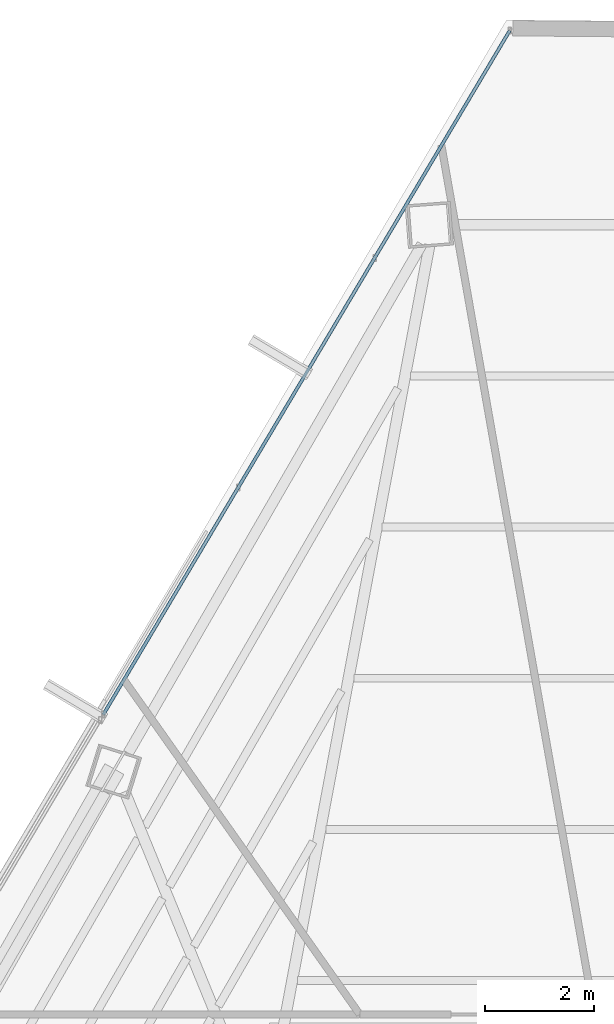
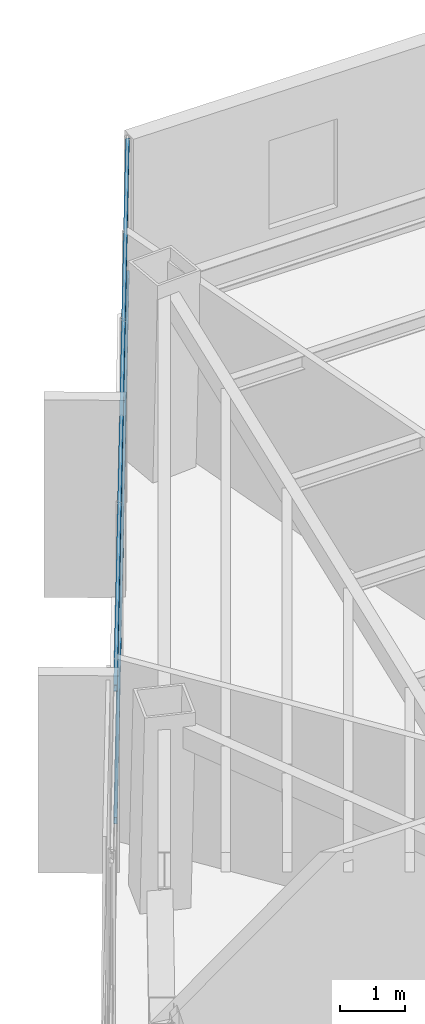
# One storey, part 33 of 47: 2 members, 1 element without a shape of its own.
"""IFC4 building model written with IfcOpenShell, lengths in metres."""

from ifc_helpers import new_model, si_unit, direction, frame, origin, origin_2d, place, context, subcontext, project, spatial, hollow_rectangle, extrude, source, transform, mapped, material, material_profile, profile_set, type_object, type_shapes, element, aggregate, save


model = new_model("IFC4")

# Units and contexts
model_context = context("Model", 3, precision=1e-05, world=origin(), true_north=direction((0.0, 1.0)))
body_context = subcontext(model_context, "Body", "Model", "MODEL_VIEW")
ifc_project = project(units=[si_unit("LENGTHUNIT", "METRE"), si_unit("AREAUNIT", "SQUARE_METRE"), si_unit("VOLUMEUNIT", "CUBIC_METRE"), si_unit("PLANEANGLEUNIT", "RADIAN"), si_unit("MASSUNIT", "GRAM", prefix="KILO")], contexts=[model_context])

# Site, building, storey
site_placement = place(None, origin())
site = spatial("IfcSite", under=ifc_project, at=site_placement, CompositionType="ELEMENT")
building_placement = place(site_placement, origin())
building = spatial("IfcBuilding", under=site, at=building_placement, Name="Caelisora Broadcast Tower", CompositionType="ELEMENT")
storey_placement = place(building_placement, frame((0.0, 0.0, 229.85009765625)))
storey = spatial("IfcBuildingStorey", under=building, at=storey_placement, Name="L60", CompositionType="ELEMENT", Elevation=229.85009765625)

# Curtain wall, members
ifc_material_1 = material(Name="Unitised Aluminium and Low-E Glass Curtain Wall", Category="glass")
curtain_wall_type = type_object("IfcCurtainWallType", Name="CW-Z5", PredefinedType="NOTDEFINED", material=ifc_material_1)
curtain_wall_placement = place(storey_placement, origin())
curtain_wall = element("IfcCurtainWall", 1, at=curtain_wall_placement, inside=storey, type_object=curtain_wall_type, Name="L60 curtain wall CW-Z5", PredefinedType="NOTDEFINED")
ifc_material_2 = material(Name="Aluminium 6063-T6 Anodised Terracotta Bronze", Category="aluminium")
ifc_material_profile = material_profile(ifc_material_2, hollow_rectangle(XDim=0.06005859375, YDim=0.1201171875, WallThickness=0.0029296875, at=origin_2d()), Name="Aluminium 6063-T6 Anodised Terracotta Bronze")
ifc_profile_set = profile_set([ifc_material_profile], Name="Aluminium 6063-T6 Anodised Terracotta Bronze")
member_type = type_object("IfcMemberType", Name="CWT-03", PredefinedType="USERDEFINED", material=ifc_profile_set)
shared_shape = source(origin(), body_context, "Body", "SweptSolid", [
    extrude(hollow_rectangle(XDim=0.06005859375, YDim=0.1201171875, WallThickness=0.0029296875, at=origin_2d()), origin(), (0.0, 0.0, 1.0), 14.59033203125),
])
type_shapes(member_type, [shared_shape])
member_1_placement = place(storey_placement, frame((27.554931640625, 37.650390625, 0.849853515625), z_axis=(0.510861540145, 0.859663007696, 0.0), x_axis=(-0.859663007696, 0.510861540145, 0.0)))
member_1 = element("IfcMember", 2, at=member_1_placement, type_object=member_type, Name="L60-CW-B11 transom #1", ObjectType="TRANSOM", PredefinedType="USERDEFINED", context=body_context, shape_type="MappedRepresentation", body=[
    mapped(shared_shape, transform((0.0, 0.0, 0.0), scale=1.0)),
])
member_2_placement = place(storey_placement, frame((27.554931640625, 37.650390625, 3.31982421875), z_axis=(0.510861540145, 0.859663007696, 0.0), x_axis=(-0.859663007696, 0.510861540145, 0.0)))
member_2 = element("IfcMember", 3, at=member_2_placement, type_object=member_type, Name="L60-CW-B11 transom #2", ObjectType="TRANSOM", PredefinedType="USERDEFINED", context=body_context, shape_type="MappedRepresentation", body=[
    mapped(shared_shape, transform((0.0, 0.0, 0.0), scale=1.0)),
])
aggregate(curtain_wall, [member_1, member_2])

save(model, "model.ifc")
